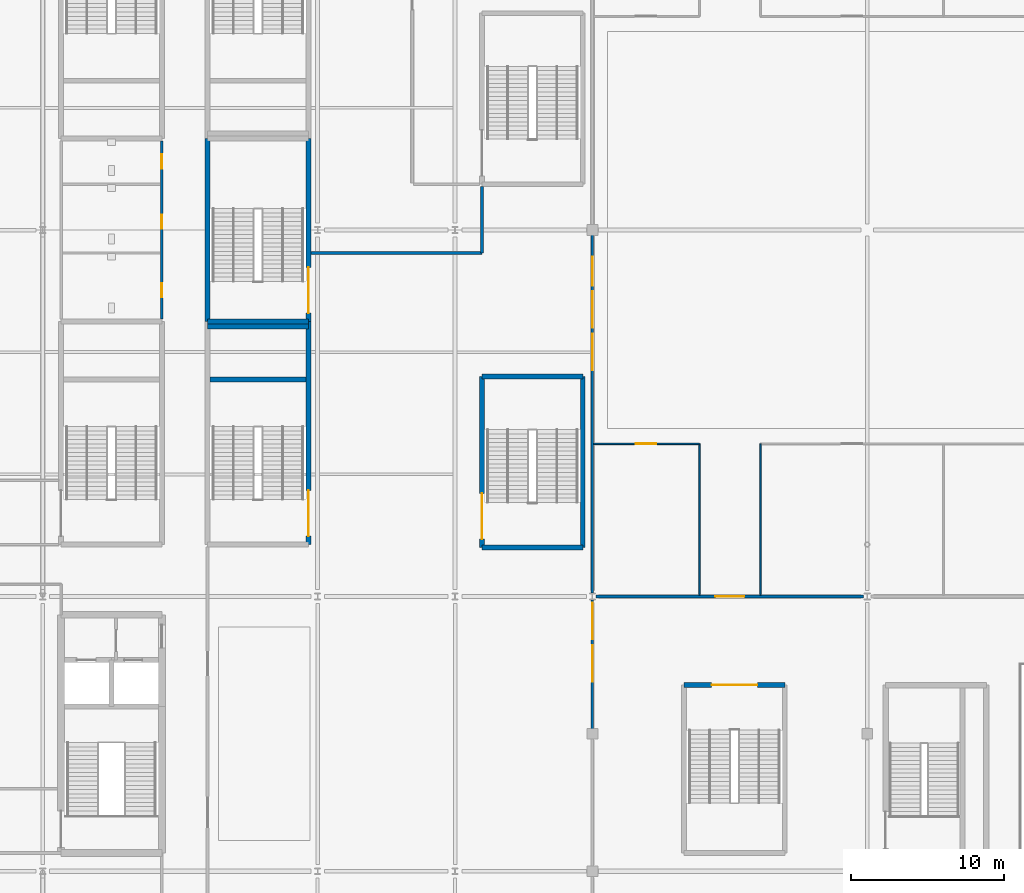
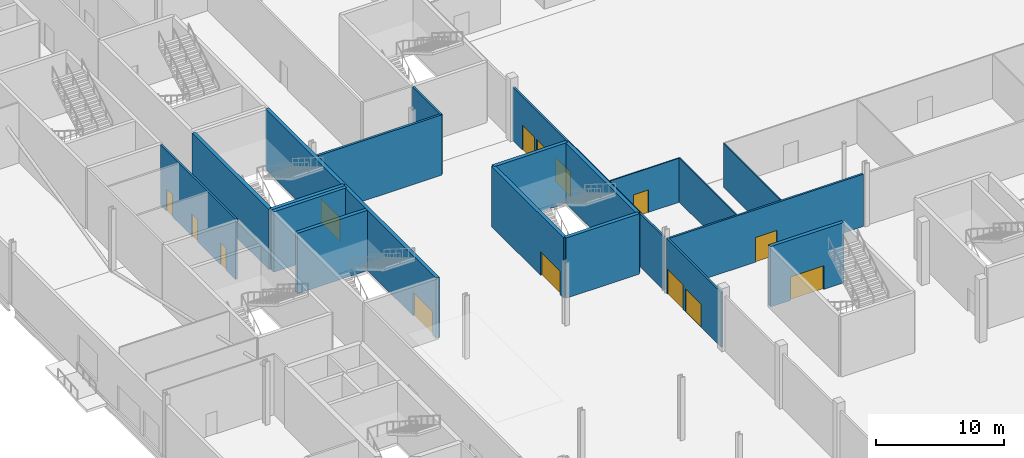
# One storey, part 31 of 84: 20 walls, 14 doors, 14 openings.
"""IFC4 building model written with IfcOpenShell, lengths in metres."""

from ifc_helpers import new_model, si_unit, direction, frame, frame_2d, origin, place, context, subcontext, project, spatial, rectangle, extrude, material, layer, layer_set, type_object, element, fill, save


model = new_model("IFC4")

# Units and contexts
model_context = context("Model", 3, precision=1e-05, world=origin(), true_north=direction((0.0, 1.0)))
body_context = subcontext(model_context, "Body", "Model", "MODEL_VIEW")
ifc_project = project(units=[si_unit("LENGTHUNIT", "METRE"), si_unit("AREAUNIT", "SQUARE_METRE"), si_unit("VOLUMEUNIT", "CUBIC_METRE"), si_unit("PLANEANGLEUNIT", "RADIAN"), si_unit("MASSUNIT", "GRAM", prefix="KILO")], contexts=[model_context])

# Site, building, storey
site_placement = place(None, origin())
site = spatial("IfcSite", under=ifc_project, at=site_placement, CompositionType="ELEMENT")
building_placement = place(site_placement, origin())
building = spatial("IfcBuilding", under=site, at=building_placement, Name="Kisiwana Market Hall", CompositionType="ELEMENT")
storey_placement = place(building_placement, origin())
storey = spatial("IfcBuildingStorey", under=building, at=storey_placement, Name="L00", CompositionType="ELEMENT", Elevation=0.0)

# Walls
ifc_material_1 = material(Name="Masonry blockwork", Category="masonry")
ifc_layer_1 = layer(ifc_material_1, 0.199951171875, Name="Plastered fire compartment block wall")
ifc_layer_set_1 = layer_set([ifc_layer_1], Name="WL-COMP-200")
wall_type_1 = type_object("IfcWallType", Name="WL-COMP-200", PredefinedType="PARTITIONING", material=ifc_layer_set_1)
wall_1_placement = place(storey_placement, frame((26.56005859375, 58.5, 0.0), z_axis=(0.0, 0.0, 1.0), x_axis=(1.0, 0.0, 0.0)))
element("IfcWall", 1, at=wall_1_placement, inside=storey, type_object=wall_type_1, Name="Interior partition W-0548", PredefinedType="PARTITIONING", context=body_context, shape_type="SweptSolid", body=[
    extrude(rectangle(XDim=11.2099609375, YDim=0.199951171875, at=frame_2d((5.60498046875, 0.0))), origin(), (0.0, 0.0, 1.0), 5.75),
])
ifc_material_2 = material(Name="Concrete C40/50", Category="concrete")
ifc_layer_2 = layer(ifc_material_2, 0.320068359375, Name="Reinforced concrete shaft wall")
ifc_layer_set_2 = layer_set([ifc_layer_2], Name="WL-CORE-320")
wall_type_2 = type_object("IfcWallType", Name="WL-CORE-320", PredefinedType="SHEAR", material=ifc_layer_set_2)
wall_2_placement = place(storey_placement, frame((19.800048828125, 54.0, 0.0), z_axis=(0.0, 0.0, 1.0), x_axis=(1.0, 0.0, 0.0)))
element("IfcWall", 2, at=wall_2_placement, inside=storey, type_object=wall_type_2, Name="Core W7 north shear wall W-0414", PredefinedType="SHEAR", context=body_context, shape_type="SweptSolid", body=[
    extrude(rectangle(XDim=6.599853515625, YDim=0.320068359375, at=frame_2d((3.2998046875, 0.0))), origin(), (0.0, 0.0, 1.0), 5.75),
])

# Wall, opening, door
wall_3_placement = place(storey_placement, frame((26.39990234375, 39.39990234375, 0.0), z_axis=(0.0, 0.0, 1.0), x_axis=(0.0, 1.0, 0.0)))
wall_3 = element("IfcWall", 3, at=wall_3_placement, inside=storey, type_object=wall_type_2, Name="Core W7 corridor shear wall W-0416", PredefinedType="SHEAR", context=body_context, shape_type="SweptSolid", body=[
    extrude(rectangle(XDim=14.60009765625, YDim=0.320068359375, at=frame_2d((7.300048828125, 0.0))), origin(), (0.0, 0.0, 1.0), 5.75),
])
opening_1_placement = place(wall_3_placement, frame((0.550048828125, 0.0, 0.0)))
opening_1 = element("IfcOpeningElement", 4, at=opening_1_placement, cuts=wall_3, Name="Opening DR-L00-023", PredefinedType="OPENING", context=body_context, shape_type="SweptSolid", body=[
    extrude(rectangle(XDim=3.0, YDim=2.25, at=frame_2d((1.5, 1.125))), frame((0.0, 0.171875, 0.0), z_axis=(0.0, -1.0, 0.0), x_axis=(1.0, 0.0, 0.0)), (0.0, 0.0, 1.0), 0.343994140625),
])
ifc_material_3 = material(Name="Steel S275", Category="steel")
door_type_1 = type_object("IfcDoorType", Name="DR-STAIR-FD120-3000", OperationType="DOUBLE_DOOR_SINGLE_SWING", PredefinedType="DOOR", material=ifc_material_3)
door_1_placement = place(opening_1_placement, frame((3.0, 0.0, 0.0), z_axis=(0.0, 0.0, 1.0), x_axis=(-1.0, 0.0, 0.0)))
door_1 = element("IfcDoor", 5, at=door_1_placement, inside=storey, type_object=door_type_1, Name="Escape Stair W7 Fire Door (L00)", OperationType="DOUBLE_DOOR_SINGLE_SWING", OverallHeight=2.25, OverallWidth=3.0, PredefinedType="DOOR", context=body_context, shape_type="SweptSolid", body=[
    extrude(rectangle(XDim=3.0, YDim=2.25, at=frame_2d((1.5, 1.125))), frame((0.0, 0.02490234375, 0.0), z_axis=(0.0, -1.0, 0.0), x_axis=(1.0, 0.0, 0.0)), (0.0, 0.0, 1.0), 0.050048828125),
])
fill(opening_1, door_1)

# Walls
wall_4_placement = place(storey_placement, frame((19.9599609375, 50.219970703125, 0.0), z_axis=(0.0, 0.0, 1.0), x_axis=(1.0, 0.0, 0.0)))
element("IfcWall", 6, at=wall_4_placement, inside=storey, type_object=wall_type_2, Name="Core W7 riser divider shear wall W-0417", PredefinedType="SHEAR", context=body_context, shape_type="SweptSolid", body=[
    extrude(rectangle(XDim=6.280029296875, YDim=0.320068359375, at=frame_2d((3.14013671875, 0.0))), origin(), (0.0, 0.0, 1.0), 5.75),
])
for number, where, z_axis, x_axis, name in (
    (7, (37.77001953125, 39.199951171875, 0.0), (0.0, 0.0, 1.0), (1.0, 0.0, 0.0), "Core W9 south shear wall W-0433"),
    (8, (37.77001953125, 50.39990234375, 0.0), (0.0, 0.0, 1.0), (1.0, 0.0, 0.0), "Core W9 north shear wall W-0434"),
):
    element("IfcWall", number, at=place(storey_placement, frame(where, z_axis=z_axis, x_axis=x_axis)), inside=storey, type_object=wall_type_2, Name=name, PredefinedType="SHEAR", context=body_context, shape_type="SweptSolid", body=[
        extrude(rectangle(XDim=6.60009765625, YDim=0.320068359375, at=frame_2d((3.300048828125, 0.0))), origin(), (0.0, 0.0, 1.0), 5.75),
    ])

# Wall, opening, door
wall_5_placement = place(storey_placement, frame((37.77001953125, 39.199951171875, 0.0), z_axis=(0.0, 0.0, 1.0), x_axis=(0.0, 1.0, 0.0)))
wall_5 = element("IfcWall", 9, at=wall_5_placement, inside=storey, type_object=wall_type_2, Name="Core W9 corridor shear wall W-0435", PredefinedType="SHEAR", context=body_context, shape_type="SweptSolid", body=[
    extrude(rectangle(XDim=11.199951171875, YDim=0.320068359375, at=frame_2d((5.60009765625, 0.0))), origin(), (0.0, 0.0, 1.0), 5.75),
])
opening_2_placement = place(wall_5_placement, frame((0.550048828125, 0.0, 0.0)))
opening_2 = element("IfcOpeningElement", 10, at=opening_2_placement, cuts=wall_5, Name="Opening DR-L00-027", PredefinedType="OPENING", context=body_context, shape_type="SweptSolid", body=[
    extrude(rectangle(XDim=3.0, YDim=2.25, at=frame_2d((1.5, 1.125))), frame((0.0, 0.171875, 0.0), z_axis=(0.0, -1.0, 0.0), x_axis=(1.0, 0.0, 0.0)), (0.0, 0.0, 1.0), 0.343994140625),
])
door_2_placement = place(opening_2_placement, origin())
door_2 = element("IfcDoor", 11, at=door_2_placement, inside=storey, type_object=door_type_1, Name="Escape Stair W9 Fire Door (L00)", OperationType="DOUBLE_DOOR_SINGLE_SWING", OverallHeight=2.25, OverallWidth=3.0, PredefinedType="DOOR", context=body_context, shape_type="SweptSolid", body=[
    extrude(rectangle(XDim=3.0, YDim=2.25, at=frame_2d((1.5, 1.125))), frame((0.0, 0.02490234375, 0.0), z_axis=(0.0, -1.0, 0.0), x_axis=(1.0, 0.0, 0.0)), (0.0, 0.0, 1.0), 0.050048828125),
])
fill(opening_2, door_2)

# Walls
wall_6_placement = place(storey_placement, frame((44.3701171875, 39.199951171875, 0.0), z_axis=(0.0, 0.0, 1.0), x_axis=(0.0, 1.0, 0.0)))
element("IfcWall", 12, at=wall_6_placement, inside=storey, type_object=wall_type_2, Name="Core W9 outer shear wall W-0436", PredefinedType="SHEAR", context=body_context, shape_type="SweptSolid", body=[
    extrude(rectangle(XDim=11.199951171875, YDim=0.320068359375, at=frame_2d((5.60009765625, 0.0))), origin(), (0.0, 0.0, 1.0), 5.75),
])
wall_7_placement = place(storey_placement, frame((19.800048828125, 53.679931640625, 0.0), z_axis=(0.0, 0.0, 1.0), x_axis=(1.0, 0.0, 0.0)))
element("IfcWall", 13, at=wall_7_placement, inside=storey, type_object=wall_type_2, Name="Core W5 south shear wall W-0449", PredefinedType="SHEAR", context=body_context, shape_type="SweptSolid", body=[
    extrude(rectangle(XDim=6.599853515625, YDim=0.320068359375, at=frame_2d((3.2998046875, 0.0))), origin(), (0.0, 0.0, 1.0), 5.75),
])
wall_8_placement = place(storey_placement, frame((19.800048828125, 54.0, 0.0), z_axis=(0.0, 0.0, 1.0), x_axis=(0.0, 1.0, 0.0)))
element("IfcWall", 14, at=wall_8_placement, inside=storey, type_object=wall_type_2, Name="Core W5 outer shear wall W-0451", PredefinedType="SHEAR", context=body_context, shape_type="SweptSolid", body=[
    extrude(rectangle(XDim=12.0, YDim=0.320068359375, at=frame_2d((6.0, 0.0))), origin(), (0.0, 0.0, 1.0), 5.75),
])

# Wall, opening, door
wall_9_placement = place(storey_placement, frame((26.39990234375, 54.0, 0.0), z_axis=(0.0, 0.0, 1.0), x_axis=(0.0, 1.0, 0.0)))
wall_9 = element("IfcWall", 15, at=wall_9_placement, inside=storey, type_object=wall_type_2, Name="Core W5 corridor shear wall W-0452", PredefinedType="SHEAR", context=body_context, shape_type="SweptSolid", body=[
    extrude(rectangle(XDim=12.0, YDim=0.320068359375, at=frame_2d((6.0, 0.0))), origin(), (0.0, 0.0, 1.0), 5.75),
])
opening_3_placement = place(wall_9_placement, frame((0.550048828125, 0.0, 0.0)))
opening_3 = element("IfcOpeningElement", 16, at=opening_3_placement, cuts=wall_9, Name="Opening DR-L00-031", PredefinedType="OPENING", context=body_context, shape_type="SweptSolid", body=[
    extrude(rectangle(XDim=3.0, YDim=2.25, at=frame_2d((1.5, 1.125))), frame((0.0, 0.171875, 0.0), z_axis=(0.0, -1.0, 0.0), x_axis=(1.0, 0.0, 0.0)), (0.0, 0.0, 1.0), 0.343994140625),
])
door_3_placement = place(opening_3_placement, frame((3.0, 0.0, 0.0), z_axis=(0.0, 0.0, 1.0), x_axis=(-1.0, 0.0, 0.0)))
door_3 = element("IfcDoor", 17, at=door_3_placement, inside=storey, type_object=door_type_1, Name="Escape Stair W5 Fire Door (L00)", OperationType="DOUBLE_DOOR_SINGLE_SWING", OverallHeight=2.25, OverallWidth=3.0, PredefinedType="DOOR", context=body_context, shape_type="SweptSolid", body=[
    extrude(rectangle(XDim=3.0, YDim=2.25, at=frame_2d((1.5, 1.125))), frame((0.0, 0.02490234375, 0.0), z_axis=(0.0, -1.0, 0.0), x_axis=(1.0, 0.0, 0.0)), (0.0, 0.0, 1.0), 0.050048828125),
])
fill(opening_3, door_3)

wall_10_placement = place(storey_placement, frame((51.0, 30.199951171875, 0.0), z_axis=(0.0, 0.0, 1.0), x_axis=(1.0, 0.0, 0.0)))
wall_10 = element("IfcWall", 18, at=wall_10_placement, inside=storey, type_object=wall_type_2, Name="Core S3 corridor shear wall W-0458", PredefinedType="SHEAR", context=body_context, shape_type="SweptSolid", body=[
    extrude(rectangle(XDim=6.60009765625, YDim=0.320068359375, at=frame_2d((3.300048828125, 0.0))), origin(), (0.0, 0.0, 1.0), 5.75),
])
opening_4_placement = place(wall_10_placement, frame((1.800048828125, 0.0, 0.0)))
opening_4 = element("IfcOpeningElement", 19, at=opening_4_placement, cuts=wall_10, Name="Opening DR-L00-033", PredefinedType="OPENING", context=body_context, shape_type="SweptSolid", body=[
    extrude(rectangle(XDim=3.0, YDim=2.25, at=frame_2d((1.5, 1.125))), frame((0.0, 0.171875, 0.0), z_axis=(0.0, -1.0, 0.0), x_axis=(1.0, 0.0, 0.0)), (0.0, 0.0, 1.0), 0.343994140625),
])
door_4_placement = place(opening_4_placement, origin())
door_4 = element("IfcDoor", 20, at=door_4_placement, inside=storey, type_object=door_type_1, Name="Escape Stair S3 Fire Door (L00)", OperationType="DOUBLE_DOOR_SINGLE_SWING", OverallHeight=2.25, OverallWidth=3.0, PredefinedType="DOOR", context=body_context, shape_type="SweptSolid", body=[
    extrude(rectangle(XDim=3.0, YDim=2.25, at=frame_2d((1.5, 1.125))), frame((0.0, 0.02490234375, 0.0), z_axis=(0.0, -1.0, 0.0), x_axis=(1.0, 0.0, 0.0)), (0.0, 0.0, 1.0), 0.050048828125),
])
fill(opening_4, door_4)

# Wall, openings, doors
ifc_material_4 = material(Name="Masonry blockwork", Category="masonry")
ifc_layer_3 = layer(ifc_material_4, 0.169921875, Name="Protected corridor partition")
ifc_layer_set_3 = layer_set([ifc_layer_3], Name="WL-CORR-170")
wall_type_3 = type_object("IfcWallType", Name="WL-CORR-170", PredefinedType="PARTITIONING", material=ifc_layer_set_3)
wall_11_placement = place(storey_placement, frame((16.800048828125, 54.159912109375, 0.0), z_axis=(0.0, 0.0, 1.0), x_axis=(0.0, 1.0, 0.0)))
wall_11 = element("IfcWall", 21, at=wall_11_placement, inside=storey, type_object=wall_type_3, Name="Interior partition W-0534", PredefinedType="PARTITIONING", context=body_context, shape_type="SweptSolid", body=[
    extrude(rectangle(XDim=11.68017578125, YDim=0.169921875, at=frame_2d((5.840087890625, 0.0))), origin(), (0.0, 0.0, 1.0), 5.75),
])
opening_5_placement = place(wall_11_placement, frame((1.43994140625, 0.0, 0.0)))
opening_5 = element("IfcOpeningElement", 22, at=opening_5_placement, cuts=wall_11, Name="Opening DR-L00-041", PredefinedType="OPENING", context=body_context, shape_type="SweptSolid", body=[
    extrude(rectangle(XDim=0.89990234375, YDim=2.10009765625, at=frame_2d((0.449951171875, 1.050048828125))), frame((0.0, 0.096923828125, 0.0), z_axis=(0.0, -1.0, 0.0), x_axis=(1.0, 0.0, 0.0)), (0.0, 0.0, 1.0), 0.19384765625),
])
opening_6_placement = place(wall_11_placement, frame((5.93994140625, 0.0, 0.0)))
opening_6 = element("IfcOpeningElement", 23, at=opening_6_placement, cuts=wall_11, Name="Opening DR-L00-042", PredefinedType="OPENING", context=body_context, shape_type="SweptSolid", body=[
    extrude(rectangle(XDim=0.89990234375, YDim=2.10009765625, at=frame_2d((0.449951171875, 1.050048828125))), frame((0.0, 0.096923828125, 0.0), z_axis=(0.0, -1.0, 0.0), x_axis=(1.0, 0.0, 0.0)), (0.0, 0.0, 1.0), 0.19384765625),
])
opening_7_placement = place(wall_11_placement, frame((9.840087890625, 0.0, 0.0)))
opening_7 = element("IfcOpeningElement", 24, at=opening_7_placement, cuts=wall_11, Name="Opening DR-L00-043", PredefinedType="OPENING", context=body_context, shape_type="SweptSolid", body=[
    extrude(rectangle(XDim=0.949951171875, YDim=2.10009765625, at=frame_2d((0.47509765625, 1.050048828125))), frame((0.0, 0.096923828125, 0.0), z_axis=(0.0, -1.0, 0.0), x_axis=(1.0, 0.0, 0.0)), (0.0, 0.0, 1.0), 0.19384765625),
])
ifc_material_5 = material(Name="Aluminium alloy 6063-T6", Category="aluminium")
door_type_2 = type_object("IfcDoorType", Name="DR-WC-ACC-950", OperationType="NOTDEFINED", PredefinedType="DOOR", material=ifc_material_5)
door_5_placement = place(opening_7_placement, origin())
door_5 = element("IfcDoor", 25, at=door_5_placement, inside=storey, type_object=door_type_2, Name="L00 W Accessible WC Door", OperationType="SINGLE_SWING_RIGHT", OverallHeight=2.10009765625, OverallWidth=0.949951171875, PredefinedType="DOOR", context=body_context, shape_type="SweptSolid", body=[
    extrude(rectangle(XDim=0.949951171875, YDim=2.10009765625, at=frame_2d((0.47509765625, 1.050048828125))), frame((0.0, 0.02490234375, 0.0), z_axis=(0.0, -1.0, 0.0), x_axis=(1.0, 0.0, 0.0)), (0.0, 0.0, 1.0), 0.050048828125),
])
fill(opening_7, door_5)
ifc_material_6 = material(Name="Aluminium alloy 6063-T6", Category="aluminium")
door_type_3 = type_object("IfcDoorType", Name="DR-WC-STD-900", OperationType="NOTDEFINED", PredefinedType="DOOR", material=ifc_material_6)
door_6_placement = place(opening_5_placement, origin())
door_6 = element("IfcDoor", 26, at=door_6_placement, inside=storey, type_object=door_type_3, Name="L00 W Male Toilet Door", OperationType="SINGLE_SWING_LEFT", OverallHeight=2.10009765625, OverallWidth=0.89990234375, PredefinedType="DOOR", context=body_context, shape_type="SweptSolid", body=[
    extrude(rectangle(XDim=0.89990234375, YDim=2.10009765625, at=frame_2d((0.449951171875, 1.050048828125))), frame((0.0, 0.02490234375, 0.0), z_axis=(0.0, -1.0, 0.0), x_axis=(1.0, 0.0, 0.0)), (0.0, 0.0, 1.0), 0.050048828125),
])
fill(opening_5, door_6)
door_7_placement = place(opening_6_placement, origin())
door_7 = element("IfcDoor", 27, at=door_7_placement, inside=storey, type_object=door_type_3, Name="L00 W Female Toilet Door", OperationType="SINGLE_SWING_RIGHT", OverallHeight=2.10009765625, OverallWidth=0.89990234375, PredefinedType="DOOR", context=body_context, shape_type="SweptSolid", body=[
    extrude(rectangle(XDim=0.89990234375, YDim=2.10009765625, at=frame_2d((0.449951171875, 1.050048828125))), frame((0.0, 0.02490234375, 0.0), z_axis=(0.0, -1.0, 0.0), x_axis=(1.0, 0.0, 0.0)), (0.0, 0.0, 1.0), 0.050048828125),
])
fill(opening_6, door_7)

wall_12_placement = place(storey_placement, frame((45.0, 27.219970703125, 0.0), z_axis=(0.0, 0.0, 1.0), x_axis=(0.0, 1.0, 0.0)))
wall_12 = element("IfcWall", 28, at=wall_12_placement, inside=storey, type_object=wall_type_3, Name="Interior partition W-0556", PredefinedType="PARTITIONING", context=body_context, shape_type="SweptSolid", body=[
    extrude(rectangle(XDim=8.56005859375, YDim=0.169921875, at=frame_2d((4.280029296875, 0.0))), origin(), (0.0, 0.0, 1.0), 5.216796875),
])
opening_8_placement = place(wall_12_placement, frame((5.97998046875, 0.0, 0.0)))
opening_8 = element("IfcOpeningElement", 29, at=opening_8_placement, cuts=wall_12, Name="Opening DR-L00-053", PredefinedType="OPENING", context=body_context, shape_type="SweptSolid", body=[
    extrude(rectangle(XDim=2.39990234375, YDim=2.35009765625, at=frame_2d((1.199951171875, 1.175048828125))), frame((0.0, 0.096923828125, 0.0), z_axis=(0.0, -1.0, 0.0), x_axis=(1.0, 0.0, 0.0)), (0.0, 0.0, 1.0), 0.19384765625),
])
opening_9_placement = place(wall_12_placement, frame((3.179931640625, 0.0, 0.0)))
opening_9 = element("IfcOpeningElement", 30, at=opening_9_placement, cuts=wall_12, Name="Opening DR-L00-054", PredefinedType="OPENING", context=body_context, shape_type="SweptSolid", body=[
    extrude(rectangle(XDim=2.39990234375, YDim=2.199951171875, at=frame_2d((1.199951171875, 1.10009765625))), frame((0.0, 0.096923828125, 0.0), z_axis=(0.0, -1.0, 0.0), x_axis=(1.0, 0.0, 0.0)), (0.0, 0.0, 1.0), 0.19384765625),
])
ifc_material_7 = material(Name="Steel S275", Category="steel")
door_type_4 = type_object("IfcDoorType", Name="DR-CORR-FD60-2400", OperationType="DOUBLE_DOOR_SINGLE_SWING", PredefinedType="DOOR", material=ifc_material_7)
door_8_placement = place(opening_9_placement, origin())
door_8 = element("IfcDoor", 31, at=door_8_placement, inside=storey, type_object=door_type_4, Name="L00 W South Spine Link Door", OperationType="DOUBLE_DOOR_SINGLE_SWING", OverallHeight=2.199951171875, OverallWidth=2.39990234375, PredefinedType="DOOR", context=body_context, shape_type="SweptSolid", body=[
    extrude(rectangle(XDim=2.39990234375, YDim=2.199951171875, at=frame_2d((1.199951171875, 1.10009765625))), frame((0.0, 0.02490234375, 0.0), z_axis=(0.0, -1.0, 0.0), x_axis=(1.0, 0.0, 0.0)), (0.0, 0.0, 1.0), 0.050048828125),
])
fill(opening_9, door_8)
ifc_material_8 = material(Name="Steel S275", Category="steel")
door_type_5 = type_object("IfcDoorType", Name="DR-HALL-2400", OperationType="DOUBLE_DOOR_SINGLE_SWING", PredefinedType="DOOR", material=ifc_material_8)
door_9_placement = place(opening_8_placement, frame((2.39990234375, 0.0, 0.0), z_axis=(0.0, 0.0, 1.0), x_axis=(-1.0, 0.0, 0.0)))
door_9 = element("IfcDoor", 32, at=door_9_placement, inside=storey, type_object=door_type_5, Name="L00 W Market Hall West Concourse Foyer Door", OperationType="DOUBLE_DOOR_SINGLE_SWING", OverallHeight=2.35009765625, OverallWidth=2.39990234375, PredefinedType="DOOR", context=body_context, shape_type="SweptSolid", body=[
    extrude(rectangle(XDim=2.39990234375, YDim=2.35009765625, at=frame_2d((1.199951171875, 1.175048828125))), frame((0.0, 0.02490234375, 0.0), z_axis=(0.0, -1.0, 0.0), x_axis=(1.0, 0.0, 0.0)), (0.0, 0.0, 1.0), 0.050048828125),
])
fill(opening_8, door_9)

wall_13_placement = place(storey_placement, frame((45.0, 36.219970703125, 0.0), z_axis=(0.0, 0.0, 1.0), x_axis=(0.0, 1.0, 0.0)))
wall_13 = element("IfcWall", 33, at=wall_13_placement, inside=storey, type_object=wall_type_3, Name="Interior partition W-0557", PredefinedType="PARTITIONING", context=body_context, shape_type="SweptSolid", body=[
    extrude(rectangle(XDim=23.56005859375, YDim=0.169921875, at=frame_2d((11.780029296875, 0.0))), origin(), (0.0, 0.0, 1.0), 5.06640625),
])
opening_10_placement = place(wall_13_placement, frame((14.580078125, 0.0, 0.0)))
opening_10 = element("IfcOpeningElement", 34, at=opening_10_placement, cuts=wall_13, Name="Opening DR-L00-055", PredefinedType="OPENING", context=body_context, shape_type="SweptSolid", body=[
    extrude(rectangle(XDim=2.39990234375, YDim=2.35009765625, at=frame_2d((1.199951171875, 1.175048828125))), frame((0.0, 0.096923828125, 0.0), z_axis=(0.0, -1.0, 0.0), x_axis=(1.0, 0.0, 0.0)), (0.0, 0.0, 1.0), 0.19384765625),
])
opening_11_placement = place(wall_13_placement, frame((17.3798828125, 0.0, 0.0)))
opening_11 = element("IfcOpeningElement", 35, at=opening_11_placement, cuts=wall_13, Name="Opening DR-L00-056", PredefinedType="OPENING", context=body_context, shape_type="SweptSolid", body=[
    extrude(rectangle(XDim=2.39990234375, YDim=2.35009765625, at=frame_2d((1.199951171875, 1.175048828125))), frame((0.0, 0.096923828125, 0.0), z_axis=(0.0, -1.0, 0.0), x_axis=(1.0, 0.0, 0.0)), (0.0, 0.0, 1.0), 0.19384765625),
])
opening_12_placement = place(wall_13_placement, frame((20.1298828125, 0.0, 0.0)))
opening_12 = element("IfcOpeningElement", 36, at=opening_12_placement, cuts=wall_13, Name="Opening DR-L00-057", PredefinedType="OPENING", context=body_context, shape_type="SweptSolid", body=[
    extrude(rectangle(XDim=1.89990234375, YDim=2.35009765625, at=frame_2d((0.949951171875, 1.175048828125))), frame((0.0, 0.096923828125, 0.0), z_axis=(0.0, -1.0, 0.0), x_axis=(1.0, 0.0, 0.0)), (0.0, 0.0, 1.0), 0.19384765625),
])
ifc_material_9 = material(Name="Steel S275", Category="steel")
door_type_6 = type_object("IfcDoorType", Name="DR-HALL-1900", OperationType="DOUBLE_DOOR_SINGLE_SWING", PredefinedType="DOOR", material=ifc_material_9)
door_10_placement = place(opening_12_placement, frame((1.89990234375, 0.0, 0.0), z_axis=(0.0, 0.0, 1.0), x_axis=(-1.0, 0.0, 0.0)))
door_10 = element("IfcDoor", 37, at=door_10_placement, inside=storey, type_object=door_type_6, Name="L00 W Market Hall West Concourse Hall Door 3", OperationType="DOUBLE_DOOR_SINGLE_SWING", OverallHeight=2.35009765625, OverallWidth=1.89990234375, PredefinedType="DOOR", context=body_context, shape_type="SweptSolid", body=[
    extrude(rectangle(XDim=1.89990234375, YDim=2.35009765625, at=frame_2d((0.949951171875, 1.175048828125))), frame((0.0, 0.02490234375, 0.0), z_axis=(0.0, -1.0, 0.0), x_axis=(1.0, 0.0, 0.0)), (0.0, 0.0, 1.0), 0.050048828125),
])
fill(opening_12, door_10)
door_11_placement = place(opening_10_placement, frame((2.39990234375, 0.0, 0.0), z_axis=(0.0, 0.0, 1.0), x_axis=(-1.0, 0.0, 0.0)))
door_11 = element("IfcDoor", 38, at=door_11_placement, inside=storey, type_object=door_type_5, Name="L00 W Market Hall West Concourse Hall Door 1", OperationType="DOUBLE_DOOR_SINGLE_SWING", OverallHeight=2.35009765625, OverallWidth=2.39990234375, PredefinedType="DOOR", context=body_context, shape_type="SweptSolid", body=[
    extrude(rectangle(XDim=2.39990234375, YDim=2.35009765625, at=frame_2d((1.199951171875, 1.175048828125))), frame((0.0, 0.02490234375, 0.0), z_axis=(0.0, -1.0, 0.0), x_axis=(1.0, 0.0, 0.0)), (0.0, 0.0, 1.0), 0.050048828125),
])
fill(opening_10, door_11)
door_12_placement = place(opening_11_placement, frame((2.39990234375, 0.0, 0.0), z_axis=(0.0, 0.0, 1.0), x_axis=(-1.0, 0.0, 0.0)))
door_12 = element("IfcDoor", 39, at=door_12_placement, inside=storey, type_object=door_type_5, Name="L00 W Market Hall West Concourse Hall Door 2", OperationType="DOUBLE_DOOR_SINGLE_SWING", OverallHeight=2.35009765625, OverallWidth=2.39990234375, PredefinedType="DOOR", context=body_context, shape_type="SweptSolid", body=[
    extrude(rectangle(XDim=2.39990234375, YDim=2.35009765625, at=frame_2d((1.199951171875, 1.175048828125))), frame((0.0, 0.02490234375, 0.0), z_axis=(0.0, -1.0, 0.0), x_axis=(1.0, 0.0, 0.0)), (0.0, 0.0, 1.0), 0.050048828125),
])
fill(opening_11, door_12)

# Wall, opening, door
wall_14_placement = place(storey_placement, frame((45.25, 36.0, 0.0), z_axis=(0.0, 0.0, 1.0), x_axis=(1.0, 0.0, 0.0)))
wall_14 = element("IfcWall", 40, at=wall_14_placement, inside=storey, type_object=wall_type_3, Name="Interior partition W-0625", PredefinedType="PARTITIONING", context=body_context, shape_type="SweptSolid", body=[
    extrude(rectangle(XDim=17.5, YDim=0.169921875, at=frame_2d((8.75, 0.0))), origin(), (0.0, 0.0, 1.0), 4.98779296875),
])
opening_13_placement = place(wall_14_placement, frame((7.800048828125, 0.0, 0.0)))
opening_13 = element("IfcOpeningElement", 41, at=opening_13_placement, cuts=wall_14, Name="Opening DR-L00-095", PredefinedType="OPENING", context=body_context, shape_type="SweptSolid", body=[
    extrude(rectangle(XDim=1.89990234375, YDim=2.35009765625, at=frame_2d((0.949951171875, 1.175048828125))), frame((0.0, 0.096923828125, 0.0), z_axis=(0.0, -1.0, 0.0), x_axis=(1.0, 0.0, 0.0)), (0.0, 0.0, 1.0), 0.19384765625),
])
door_13_placement = place(opening_13_placement, origin())
door_13 = element("IfcDoor", 42, at=door_13_placement, inside=storey, type_object=door_type_6, Name="L00 Market Hall South Archway Door 1", OperationType="DOUBLE_DOOR_SINGLE_SWING", OverallHeight=2.35009765625, OverallWidth=1.89990234375, PredefinedType="DOOR", context=body_context, shape_type="SweptSolid", body=[
    extrude(rectangle(XDim=1.89990234375, YDim=2.35009765625, at=frame_2d((0.949951171875, 1.175048828125))), frame((0.0, 0.02490234375, 0.0), z_axis=(0.0, -1.0, 0.0), x_axis=(1.0, 0.0, 0.0)), (0.0, 0.0, 1.0), 0.050048828125),
])
fill(opening_13, door_13)

# Walls
wall_15_placement = place(storey_placement, frame((37.77001953125, 58.5, 0.0), z_axis=(0.0, 0.0, 1.0), x_axis=(0.0, 1.0, 0.0)))
element("IfcWall", 43, at=wall_15_placement, inside=storey, type_object=wall_type_3, Name="Interior partition W-0646", PredefinedType="PARTITIONING", context=body_context, shape_type="SweptSolid", body=[
    extrude(rectangle(XDim=4.340087890625, YDim=0.169921875, at=frame_2d((2.169921875, 0.0))), origin(), (0.0, 0.0, 1.0), 5.75),
])
ifc_material_10 = material(Name="Masonry blockwork", Category="masonry")
ifc_layer_4 = layer(ifc_material_10, 0.10009765625, Name="Tiled stall dwarf/full partition")
ifc_layer_set_4 = layer_set([ifc_layer_4], Name="WL-STALL-100")
wall_type_4 = type_object("IfcWallType", Name="WL-STALL-100", PredefinedType="PARTITIONING", material=ifc_layer_set_4)
wall_16_placement = place(storey_placement, frame((52.0, 36.0849609375, 0.0), z_axis=(0.0, 0.0, 1.0), x_axis=(0.0, 1.0, 0.0)))
element("IfcWall", 44, at=wall_16_placement, inside=storey, type_object=wall_type_4, Name="Interior partition W-0597", PredefinedType="PARTITIONING", context=body_context, shape_type="SweptSolid", body=[
    extrude(rectangle(XDim=9.9150390625, YDim=0.10009765625, at=frame_2d((4.95751953125, 0.0))), origin(), (0.0, 0.0, 1.0), 4.199951171875),
])

# Wall, opening, door
wall_17_placement = place(storey_placement, frame((45.0849609375, 46.0, 0.0), z_axis=(0.0, 0.0, 1.0), x_axis=(1.0, 0.0, 0.0)))
wall_17 = element("IfcWall", 45, at=wall_17_placement, inside=storey, type_object=wall_type_4, Name="Interior partition W-0599", PredefinedType="PARTITIONING", context=body_context, shape_type="SweptSolid", body=[
    extrude(rectangle(XDim=6.9150390625, YDim=0.10009765625, at=frame_2d((3.45751953125, 0.0))), origin(), (0.0, 0.0, 1.0), 4.199951171875),
])
opening_14_placement = place(wall_17_placement, frame((2.739990234375, 0.0, 0.0)))
opening_14 = element("IfcOpeningElement", 46, at=opening_14_placement, cuts=wall_17, Name="Opening DR-L00-079", PredefinedType="OPENING", context=body_context, shape_type="SweptSolid", body=[
    extrude(rectangle(XDim=1.35009765625, YDim=2.14990234375, at=frame_2d((0.675048828125, 1.074951171875))), frame((0.0, 0.06201171875, 0.0), z_axis=(0.0, -1.0, 0.0), x_axis=(1.0, 0.0, 0.0)), (0.0, 0.0, 1.0), 0.1240234375),
])
ifc_material_11 = material(Name="Aluminium alloy 6063-T6", Category="aluminium")
door_type_7 = type_object("IfcDoorType", Name="DR-STALL-1350", OperationType="SLIDING_TO_RIGHT", PredefinedType="DOOR", material=ifc_material_11)
door_14_placement = place(opening_14_placement, origin())
door_14 = element("IfcDoor", 47, at=door_14_placement, inside=storey, type_object=door_type_7, Name="L00 Produce Stall S01 Door", OperationType="SLIDING_TO_RIGHT", OverallHeight=2.14990234375, OverallWidth=1.35009765625, PredefinedType="DOOR", context=body_context, shape_type="SweptSolid", body=[
    extrude(rectangle(XDim=1.35009765625, YDim=2.14990234375, at=frame_2d((0.675048828125, 1.074951171875))), frame((0.0, 0.02490234375, 0.0), z_axis=(0.0, -1.0, 0.0), x_axis=(1.0, 0.0, 0.0)), (0.0, 0.0, 1.0), 0.050048828125),
])
fill(opening_14, door_14)

# Wall
wall_18_placement = place(storey_placement, frame((56.0, 36.0849609375, 0.0), z_axis=(0.0, 0.0, 1.0), x_axis=(0.0, 1.0, 0.0)))
element("IfcWall", 48, at=wall_18_placement, inside=storey, type_object=wall_type_4, Name="Interior partition W-0601", PredefinedType="PARTITIONING", context=body_context, shape_type="SweptSolid", body=[
    extrude(rectangle(XDim=9.9150390625, YDim=0.10009765625, at=frame_2d((4.95751953125, 0.0))), origin(), (0.0, 0.0, 1.0), 4.199951171875),
])

save(model, "model.ifc")
